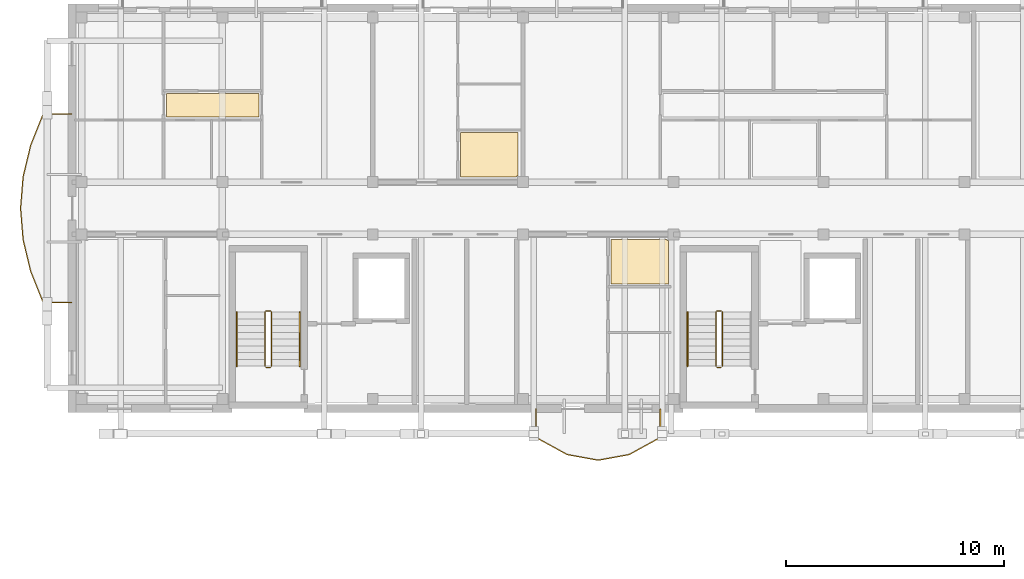
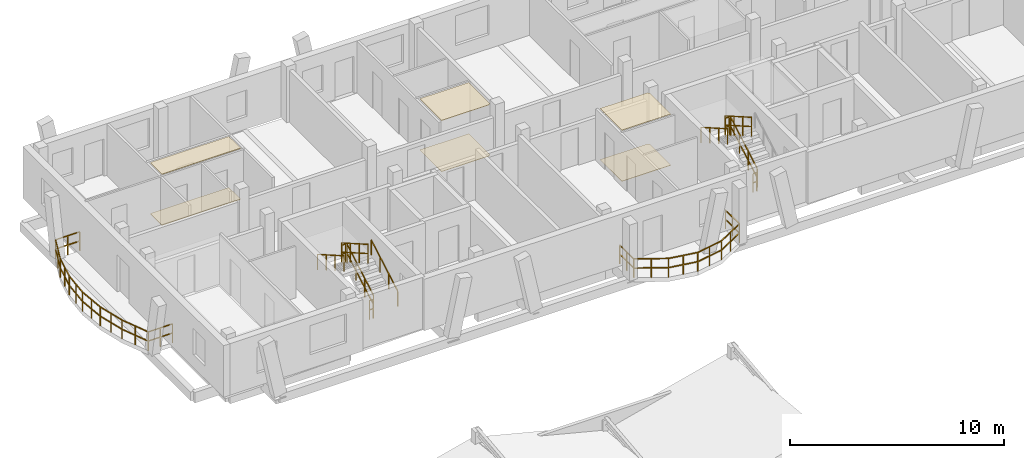
# One storey, part 43 of 50: 13 railings, 6 coverings.
"""IFC4 building model written with IfcOpenShell, lengths in metres."""

from ifc_helpers import new_model, si_unit, direction, frame, origin, origin_2d, place, context, subcontext, project, spatial, polyline, rectangle, outline, extrude, material, layer, layer_set, type_object, element, save


model = new_model("IFC4")

# Units and contexts
model_context = context("Model", 3, precision=1e-05, world=origin(), true_north=direction((0.0, 1.0)))
body_context = subcontext(model_context, "Body", "Model", "MODEL_VIEW")
ifc_project = project(units=[si_unit("LENGTHUNIT", "METRE"), si_unit("AREAUNIT", "SQUARE_METRE"), si_unit("VOLUMEUNIT", "CUBIC_METRE"), si_unit("PLANEANGLEUNIT", "RADIAN"), si_unit("MASSUNIT", "GRAM", prefix="KILO")], contexts=[model_context])

# Site, building, storey
site_placement = place(None, origin())
site = spatial("IfcSite", under=ifc_project, at=site_placement, CompositionType="ELEMENT")
building_placement = place(site_placement, origin())
building = spatial("IfcBuilding", under=site, at=building_placement, Name="Zavelmont Quarter", CompositionType="ELEMENT")
storey_placement = place(building_placement, frame((0.0, 0.0, 11.199951171875)))
storey = spatial("IfcBuildingStorey", under=building, at=storey_placement, Name="L03", CompositionType="ELEMENT", Elevation=11.199951171875)

# Coverings
ifc_material_1 = material(Name="Perforated acoustic gypsum board")
ifc_layer_1 = layer(ifc_material_1, 0.02490234375)
ifc_layer_set_1 = layer_set([ifc_layer_1], Name="Perforated acoustic gypsum board")
covering_type_1 = type_object("IfcCoveringType", Name="CV-CL01", PredefinedType="CEILING", material=ifc_layer_set_1)
covering_1_placement = place(storey_placement, frame((0.0, 0.0, 2.9150390625)))
element("IfcCovering", 1, at=covering_1_placement, inside=storey, type_object=covering_type_1, Name="L03 Kitchen acoustic ceiling", PredefinedType="CEILING", context=body_context, shape_type="SweptSolid", body=[
    extrude(outline(polyline([(17.830078125, 110.27001953125), (20.469970703125, 110.27001953125), (20.469970703125, 108.2900390625), (20.409912109375, 108.2900390625), (20.409912109375, 108.22998046875), (17.830078125, 108.22998046875), (17.830078125, 110.27001953125)])), origin(), (0.0, 0.0, 1.0), 0.02490234375),
])
covering_2_placement = place(storey_placement, frame((0.0, 0.0, 2.9150390625)))
element("IfcCovering", 2, at=covering_2_placement, inside=storey, type_object=covering_type_1, Name="L03 Kitchen acoustic ceiling", PredefinedType="CEILING", context=body_context, shape_type="SweptSolid", body=[
    extrude(outline(polyline([(24.72998046875, 105.3701171875), (27.31005859375, 105.3701171875), (27.31005859375, 105.31005859375), (27.3701171875, 105.31005859375), (27.3701171875, 103.330078125), (24.72998046875, 103.330078125), (24.72998046875, 105.3701171875)])), origin(), (0.0, 0.0, 1.0), 0.02490234375),
])
ifc_material_2 = material(Name="Slatted European ash acoustic baffle ceiling")
ifc_layer_2 = layer(ifc_material_2, 0.0400390625)
ifc_layer_set_2 = layer_set([ifc_layer_2], Name="Slatted European ash acoustic baffle ceiling")
covering_type_2 = type_object("IfcCoveringType", Name="CV-CL02", PredefinedType="CEILING", material=ifc_layer_set_2)
covering_3_placement = place(storey_placement, frame((0.0, 0.0, 2.900146484375)))
element("IfcCovering", 3, at=covering_3_placement, inside=storey, type_object=covering_type_2, Name="L03 Apartment Hall acoustic ceiling", PredefinedType="CEILING", context=body_context, shape_type="SweptSolid", body=[
    extrude(outline(polyline([(4.330078125, 112.070068359375), (8.570068359375, 112.070068359375), (8.570068359375, 110.97998046875), (4.330078125, 110.97998046875), (4.330078125, 112.070068359375)])), origin(), (0.0, 0.0, 1.0), 0.039794921875),
])
ifc_material_3 = material(Name="Engineered European oak parquet")
ifc_layer_3 = layer(ifc_material_3, 0.02197265625)
ifc_layer_set_3 = layer_set([ifc_layer_3], Name="Engineered European oak parquet")
covering_type_3 = type_object("IfcCoveringType", Name="CV-FL01", PredefinedType="FLOORING", material=ifc_layer_set_3)
covering_4_placement = place(storey_placement, origin())
element("IfcCovering", 4, at=covering_4_placement, inside=storey, type_object=covering_type_3, Name="L03 Kitchen floor finish", PredefinedType="FLOORING", context=body_context, shape_type="SweptSolid", body=[
    extrude(outline(polyline([(17.830078125, 110.27001953125), (20.469970703125, 110.27001953125), (20.469970703125, 108.2900390625), (20.409912109375, 108.2900390625), (20.409912109375, 108.22998046875), (17.830078125, 108.22998046875), (17.830078125, 110.27001953125)])), origin(), (0.0, 0.0, 1.0), 0.02197265625),
])
covering_5_placement = place(storey_placement, origin())
element("IfcCovering", 5, at=covering_5_placement, inside=storey, type_object=covering_type_3, Name="L03 Kitchen floor finish", PredefinedType="FLOORING", context=body_context, shape_type="SweptSolid", body=[
    extrude(outline(polyline([(24.72998046875, 105.3701171875), (27.31005859375, 105.3701171875), (27.31005859375, 105.31005859375), (27.3701171875, 105.31005859375), (27.3701171875, 103.330078125), (24.72998046875, 103.330078125), (24.72998046875, 105.3701171875)])), origin(), (0.0, 0.0, 1.0), 0.02197265625),
])
ifc_material_4 = material(Name="Honed Belgian bluestone tile", Category="masonry")
ifc_layer_4 = layer(ifc_material_4, 0.030029296875)
ifc_layer_set_4 = layer_set([ifc_layer_4], Name="Honed Belgian bluestone tile")
covering_type_4 = type_object("IfcCoveringType", Name="CV-FL02", PredefinedType="FLOORING", material=ifc_layer_set_4)
covering_6_placement = place(storey_placement, origin())
element("IfcCovering", 6, at=covering_6_placement, inside=storey, type_object=covering_type_4, Name="L03 Apartment Hall floor finish", PredefinedType="FLOORING", context=body_context, shape_type="SweptSolid", body=[
    extrude(outline(polyline([(4.330078125, 112.070068359375), (8.570068359375, 112.070068359375), (8.570068359375, 110.97998046875), (4.330078125, 110.97998046875), (4.330078125, 112.070068359375)])), origin(), (0.0, 0.0, 1.0), 0.030029296875),
])

# Railings
ifc_material_5 = material(Name="Powder-coated steel and tempered double safety glass", Category="steel")
railing_type_1 = type_object("IfcRailingType", Name="RL-BAL1", PredefinedType="BALUSTRADE", material=ifc_material_5)
railing_1_placement = place(storey_placement, frame((-0.02001953125, 111.130615234375, 0.0)))
element("IfcRailing", 7, at=railing_1_placement, inside=storey, type_object=railing_type_1, Name="L03 Block B curved balcony guard RL-BAL1", PredefinedType="BALUSTRADE", context=body_context, shape_type="SweptSolid", body=[
    extrude(rectangle(XDim=0.048095703125, YDim=0.048095703125, at=origin_2d()), frame((0.0, 0.0, 1.076171875), z_axis=(-1.0, 0.0, 0.0), x_axis=(0.0, -1.0, 0.0)), (0.0, 0.0, 1.0), 1.30615234375),
    extrude(rectangle(XDim=0.048095703125, YDim=0.048095703125, at=origin_2d()), frame((0.0, 0.0, 0.550048828125), z_axis=(-1.0, 0.0, 0.0), x_axis=(0.0, -1.0, 0.0)), (0.0, 0.0, 1.0), 1.30615234375),
    extrude(rectangle(XDim=0.048095703125, YDim=0.048095703125, at=origin_2d()), frame((-1.30615234375, 0.0, 1.076171875), z_axis=(-0.372040153608, -0.928216636407, 0.0), x_axis=(0.928216636407, -0.372040153608, 0.0)), (0.0, 0.0, 1.0), 1.55517578125),
    extrude(rectangle(XDim=0.048095703125, YDim=0.048095703125, at=origin_2d()), frame((-1.30615234375, 0.0, 0.550048828125), z_axis=(-0.372040153608, -0.928216636407, 0.0), x_axis=(0.928216636407, -0.372040153608, 0.0)), (0.0, 0.0, 1.0), 1.55517578125),
    extrude(rectangle(XDim=0.048095703125, YDim=0.048095703125, at=origin_2d()), frame((-1.884765625, -1.443603515625, 1.076171875), z_axis=(-0.233976129241, -0.972242341675, 0.0), x_axis=(0.972242341675, -0.233976129241, 0.0)), (0.0, 0.0, 1.0), 1.48486328125),
    extrude(rectangle(XDim=0.048095703125, YDim=0.048095703125, at=origin_2d()), frame((-1.884765625, -1.443603515625, 0.550048828125), z_axis=(-0.233976129241, -0.972242341675, 0.0), x_axis=(0.972242341675, -0.233976129241, 0.0)), (0.0, 0.0, 1.0), 1.48486328125),
    extrude(rectangle(XDim=0.048095703125, YDim=0.048095703125, at=origin_2d()), frame((-2.232177734375, -2.88720703125, 1.076171875), z_axis=(-0.079919456663, -0.996801324461, 0.0), x_axis=(0.996801324461, -0.079919456663, 0.0)), (0.0, 0.0, 1.0), 1.447998046875),
    extrude(rectangle(XDim=0.048095703125, YDim=0.048095703125, at=origin_2d()), frame((-2.232177734375, -2.88720703125, 0.550048828125), z_axis=(-0.079919456663, -0.996801324461, 0.0), x_axis=(0.996801324461, -0.079919456663, 0.0)), (0.0, 0.0, 1.0), 1.447998046875),
    extrude(rectangle(XDim=0.048095703125, YDim=0.048095703125, at=origin_2d()), frame((-2.347900390625, -4.33056640625, 1.076171875), z_axis=(0.079906027079, -0.996802401099, 0.0), x_axis=(0.996802401099, 0.079906027079, 0.0)), (0.0, 0.0, 1.0), 1.4482421875),
    extrude(rectangle(XDim=0.048095703125, YDim=0.048095703125, at=origin_2d()), frame((-2.347900390625, -4.33056640625, 0.550048828125), z_axis=(0.079906027079, -0.996802401099, 0.0), x_axis=(0.996802401099, 0.079906027079, 0.0)), (0.0, 0.0, 1.0), 1.4482421875),
    extrude(rectangle(XDim=0.048095703125, YDim=0.048095703125, at=origin_2d()), frame((-2.232177734375, -5.774169921875, 1.076171875), z_axis=(0.234013538591, -0.972233338122, 0.0), x_axis=(0.972233338122, 0.234013538591, 0.0)), (0.0, 0.0, 1.0), 1.484619140625),
    extrude(rectangle(XDim=0.048095703125, YDim=0.048095703125, at=origin_2d()), frame((-2.232177734375, -5.774169921875, 0.550048828125), z_axis=(0.234013538591, -0.972233338122, 0.0), x_axis=(0.972233338122, 0.234013538591, 0.0)), (0.0, 0.0, 1.0), 1.484619140625),
    extrude(rectangle(XDim=0.048095703125, YDim=0.048095703125, at=origin_2d()), frame((-1.884765625, -7.217529296875, 1.076171875), z_axis=(0.372040153608, -0.928216636407, 0.0), x_axis=(0.928216636407, 0.372040153608, 0.0)), (0.0, 0.0, 1.0), 1.55517578125),
    extrude(rectangle(XDim=0.048095703125, YDim=0.048095703125, at=origin_2d()), frame((-1.884765625, -7.217529296875, 0.550048828125), z_axis=(0.372040153608, -0.928216636407, 0.0), x_axis=(0.928216636407, 0.372040153608, 0.0)), (0.0, 0.0, 1.0), 1.55517578125),
    extrude(rectangle(XDim=0.048095703125, YDim=0.048095703125, at=origin_2d()), frame((-1.30615234375, -8.6611328125, 1.076171875), z_axis=(1.0, 0.0, 0.0), x_axis=(0.0, 1.0, 0.0)), (0.0, 0.0, 1.0), 1.30615234375),
    extrude(rectangle(XDim=0.048095703125, YDim=0.048095703125, at=origin_2d()), frame((-1.30615234375, -8.6611328125, 0.550048828125), z_axis=(1.0, 0.0, 0.0), x_axis=(0.0, 1.0, 0.0)), (0.0, 0.0, 1.0), 1.30615234375),
    extrude(rectangle(XDim=0.0419921875, YDim=0.0419921875, at=origin_2d()), origin(), (0.0, 0.0, 1.0), 1.052001953125),
    extrude(rectangle(XDim=0.0419921875, YDim=0.0419921875, at=origin_2d()), frame((-0.653076171875, 0.0, 0.0)), (0.0, 0.0, 1.0), 1.052001953125),
    extrude(rectangle(XDim=0.0419921875, YDim=0.0419921875, at=origin_2d()), frame((-1.30615234375, 0.0, 0.0)), (0.0, 0.0, 1.0), 1.052001953125),
    extrude(rectangle(XDim=0.0419921875, YDim=0.0419921875, at=origin_2d()), frame((-1.595458984375, -0.7216796875, 0.0)), (0.0, 0.0, 1.0), 1.052001953125),
    extrude(rectangle(XDim=0.0419921875, YDim=0.0419921875, at=origin_2d()), frame((-1.884765625, -1.443603515625, 0.0)), (0.0, 0.0, 1.0), 1.052001953125),
    extrude(rectangle(XDim=0.0419921875, YDim=0.0419921875, at=origin_2d()), frame((-2.05859375, -2.16552734375, 0.0)), (0.0, 0.0, 1.0), 1.052001953125),
    extrude(rectangle(XDim=0.0419921875, YDim=0.0419921875, at=origin_2d()), frame((-2.232177734375, -2.88720703125, 0.0)), (0.0, 0.0, 1.0), 1.052001953125),
    extrude(rectangle(XDim=0.0419921875, YDim=0.0419921875, at=origin_2d()), frame((-2.2900390625, -3.60888671875, 0.0)), (0.0, 0.0, 1.0), 1.052001953125),
    extrude(rectangle(XDim=0.0419921875, YDim=0.0419921875, at=origin_2d()), frame((-2.347900390625, -4.33056640625, 0.0)), (0.0, 0.0, 1.0), 1.052001953125),
    extrude(rectangle(XDim=0.0419921875, YDim=0.0419921875, at=origin_2d()), frame((-2.2900390625, -5.05224609375, 0.0)), (0.0, 0.0, 1.0), 1.052001953125),
    extrude(rectangle(XDim=0.0419921875, YDim=0.0419921875, at=origin_2d()), frame((-2.232177734375, -5.774169921875, 0.0)), (0.0, 0.0, 1.0), 1.052001953125),
    extrude(rectangle(XDim=0.0419921875, YDim=0.0419921875, at=origin_2d()), frame((-2.05859375, -6.495849609375, 0.0)), (0.0, 0.0, 1.0), 1.052001953125),
    extrude(rectangle(XDim=0.0419921875, YDim=0.0419921875, at=origin_2d()), frame((-1.884765625, -7.217529296875, 0.0)), (0.0, 0.0, 1.0), 1.052001953125),
    extrude(rectangle(XDim=0.0419921875, YDim=0.0419921875, at=origin_2d()), frame((-1.595458984375, -7.939453125, 0.0)), (0.0, 0.0, 1.0), 1.052001953125),
    extrude(rectangle(XDim=0.0419921875, YDim=0.0419921875, at=origin_2d()), frame((-1.30615234375, -8.6611328125, 0.0)), (0.0, 0.0, 1.0), 1.052001953125),
    extrude(rectangle(XDim=0.0419921875, YDim=0.0419921875, at=origin_2d()), frame((-0.653076171875, -8.6611328125, 0.0)), (0.0, 0.0, 1.0), 1.052001953125),
    extrude(rectangle(XDim=0.0419921875, YDim=0.0419921875, at=origin_2d()), frame((0.0, -8.6611328125, 0.0)), (0.0, 0.0, 1.0), 1.052001953125),
])
railing_2_placement = place(storey_placement, frame((21.300048828125, 97.580078125, 0.0)))
element("IfcRailing", 8, at=railing_2_placement, inside=storey, type_object=railing_type_1, Name="L03 Block B curved balcony guard RL-BAL1", PredefinedType="BALUSTRADE", context=body_context, shape_type="SweptSolid", body=[
    extrude(rectangle(XDim=0.048095703125, YDim=0.048095703125, at=origin_2d()), frame((0.0, 0.0, 1.076171875), z_axis=(0.0, -1.0, 0.0), x_axis=(1.0, 0.0, 0.0)), (0.0, 0.0, 1.0), 1.30615234375),
    extrude(rectangle(XDim=0.048095703125, YDim=0.048095703125, at=origin_2d()), frame((0.0, 0.0, 0.550048828125), z_axis=(0.0, -1.0, 0.0), x_axis=(1.0, 0.0, 0.0)), (0.0, 0.0, 1.0), 1.30615234375),
    extrude(rectangle(XDim=0.048095703125, YDim=0.048095703125, at=origin_2d()), frame((0.0, -1.30615234375, 1.076171875), z_axis=(0.876808322776, -0.480840061882, 0.0), x_axis=(0.480840061882, 0.876808322776, 0.0)), (0.0, 0.0, 1.0), 1.625244140625),
    extrude(rectangle(XDim=0.048095703125, YDim=0.048095703125, at=origin_2d()), frame((0.0, -1.30615234375, 0.550048828125), z_axis=(0.876808322776, -0.480840061882, 0.0), x_axis=(0.480840061882, 0.876808322776, 0.0)), (0.0, 0.0, 1.0), 1.625244140625),
    extrude(rectangle(XDim=0.048095703125, YDim=0.048095703125, at=origin_2d()), frame((1.425048828125, -2.087646484375, 1.076171875), z_axis=(0.98369413922, -0.179849493925, 0.0), x_axis=(0.179849493925, 0.98369413922, 0.0)), (0.0, 0.0, 1.0), 1.448486328125),
    extrude(rectangle(XDim=0.048095703125, YDim=0.048095703125, at=origin_2d()), frame((1.425048828125, -2.087646484375, 0.550048828125), z_axis=(0.98369413922, -0.179849493925, 0.0), x_axis=(0.179849493925, 0.98369413922, 0.0)), (0.0, 0.0, 1.0), 1.448486328125),
    extrude(rectangle(XDim=0.048095703125, YDim=0.048095703125, at=origin_2d()), frame((2.849853515625, -2.34814453125, 1.076171875), z_axis=(0.983699589957, 0.179819678342, 0.0), x_axis=(-0.179819678342, 0.983699589957, 0.0)), (0.0, 0.0, 1.0), 1.44873046875),
    extrude(rectangle(XDim=0.048095703125, YDim=0.048095703125, at=origin_2d()), frame((2.849853515625, -2.34814453125, 0.550048828125), z_axis=(0.983699589957, 0.179819678342, 0.0), x_axis=(-0.179819678342, 0.983699589957, 0.0)), (0.0, 0.0, 1.0), 1.44873046875),
    extrude(rectangle(XDim=0.048095703125, YDim=0.048095703125, at=origin_2d()), frame((4.27490234375, -2.087646484375, 1.076171875), z_axis=(0.876808322776, 0.480840061882, 0.0), x_axis=(-0.480840061882, 0.876808322776, 0.0)), (0.0, 0.0, 1.0), 1.625244140625),
    extrude(rectangle(XDim=0.048095703125, YDim=0.048095703125, at=origin_2d()), frame((4.27490234375, -2.087646484375, 0.550048828125), z_axis=(0.876808322776, 0.480840061882, 0.0), x_axis=(-0.480840061882, 0.876808322776, 0.0)), (0.0, 0.0, 1.0), 1.625244140625),
    extrude(rectangle(XDim=0.048095703125, YDim=0.048095703125, at=origin_2d()), frame((5.699951171875, -1.30615234375, 1.076171875), z_axis=(0.0, 1.0, 0.0), x_axis=(-1.0, 0.0, 0.0)), (0.0, 0.0, 1.0), 1.30615234375),
    extrude(rectangle(XDim=0.048095703125, YDim=0.048095703125, at=origin_2d()), frame((5.699951171875, -1.30615234375, 0.550048828125), z_axis=(0.0, 1.0, 0.0), x_axis=(-1.0, 0.0, 0.0)), (0.0, 0.0, 1.0), 1.30615234375),
    extrude(rectangle(XDim=0.0419921875, YDim=0.0419921875, at=origin_2d()), origin(), (0.0, 0.0, 1.0), 1.052001953125),
    extrude(rectangle(XDim=0.0419921875, YDim=0.0419921875, at=origin_2d()), frame((0.0, -0.653076171875, 0.0)), (0.0, 0.0, 1.0), 1.052001953125),
    extrude(rectangle(XDim=0.0419921875, YDim=0.0419921875, at=origin_2d()), frame((0.0, -1.30615234375, 0.0)), (0.0, 0.0, 1.0), 1.052001953125),
    extrude(rectangle(XDim=0.0419921875, YDim=0.0419921875, at=origin_2d()), frame((0.71240234375, -1.69677734375, 0.0)), (0.0, 0.0, 1.0), 1.052001953125),
    extrude(rectangle(XDim=0.0419921875, YDim=0.0419921875, at=origin_2d()), frame((1.425048828125, -2.087646484375, 0.0)), (0.0, 0.0, 1.0), 1.052001953125),
    extrude(rectangle(XDim=0.0419921875, YDim=0.0419921875, at=origin_2d()), frame((2.137451171875, -2.2177734375, 0.0)), (0.0, 0.0, 1.0), 1.052001953125),
    extrude(rectangle(XDim=0.0419921875, YDim=0.0419921875, at=origin_2d()), frame((2.849853515625, -2.34814453125, 0.0)), (0.0, 0.0, 1.0), 1.052001953125),
    extrude(rectangle(XDim=0.0419921875, YDim=0.0419921875, at=origin_2d()), frame((3.5625, -2.2177734375, 0.0)), (0.0, 0.0, 1.0), 1.052001953125),
    extrude(rectangle(XDim=0.0419921875, YDim=0.0419921875, at=origin_2d()), frame((4.27490234375, -2.087646484375, 0.0)), (0.0, 0.0, 1.0), 1.052001953125),
    extrude(rectangle(XDim=0.0419921875, YDim=0.0419921875, at=origin_2d()), frame((4.9873046875, -1.69677734375, 0.0)), (0.0, 0.0, 1.0), 1.052001953125),
    extrude(rectangle(XDim=0.0419921875, YDim=0.0419921875, at=origin_2d()), frame((5.699951171875, -1.30615234375, 0.0)), (0.0, 0.0, 1.0), 1.052001953125),
    extrude(rectangle(XDim=0.0419921875, YDim=0.0419921875, at=origin_2d()), frame((5.699951171875, -0.653076171875, 0.0)), (0.0, 0.0, 1.0), 1.052001953125),
    extrude(rectangle(XDim=0.0419921875, YDim=0.0419921875, at=origin_2d()), frame((5.699951171875, 0.0, 0.0)), (0.0, 0.0, 1.0), 1.052001953125),
])
ifc_material_6 = material(Name="Powder-coated steel stair guardrail", Category="steel")
railing_type_2 = type_object("IfcRailingType", Name="RL-GRD1", PredefinedType="GUARDRAIL", material=ifc_material_6)
railing_3_placement = place(storey_placement, frame((9.14990234375, 99.550048828125, 0.177734375)))
element("IfcRailing", 9, at=railing_3_placement, inside=storey, type_object=railing_type_2, Name="L03 ST03 stair guardrail 1", PredefinedType="GUARDRAIL", context=body_context, shape_type="SweptSolid", body=[
    extrude(rectangle(XDim=0.048095703125, YDim=0.048095703125, at=origin_2d()), frame((0.0, 0.0, 1.076171875), z_axis=(0.0, 0.867453774394, 0.497517787913), x_axis=(-1.0, 0.0, 0.0)), (0.0, 0.0, 1.0), 2.85888671875),
    extrude(rectangle(XDim=0.048095703125, YDim=0.048095703125, at=origin_2d()), frame((0.0, 0.0, 0.550048828125), z_axis=(0.0, 0.867453774394, 0.497517787913), x_axis=(-1.0, 0.0, 0.0)), (0.0, 0.0, 1.0), 2.85888671875),
    extrude(rectangle(XDim=0.0419921875, YDim=0.0419921875, at=origin_2d()), origin(), (0.0, 0.0, 1.0), 1.052001953125),
    extrude(rectangle(XDim=0.0419921875, YDim=0.0419921875, at=origin_2d()), frame((0.0, 0.82666015625, 0.47412109375)), (0.0, 0.0, 1.0), 1.052001953125),
    extrude(rectangle(XDim=0.0419921875, YDim=0.0419921875, at=origin_2d()), frame((0.0, 1.6533203125, 0.9482421875)), (0.0, 0.0, 1.0), 1.052001953125),
    extrude(rectangle(XDim=0.0419921875, YDim=0.0419921875, at=origin_2d()), frame((0.0, 2.47998046875, 1.42236328125)), (0.0, 0.0, 1.0), 1.052001953125),
])
railing_4_placement = place(storey_placement, frame((9.10009765625, 102.080078125, 1.60009765625)))
element("IfcRailing", 10, at=railing_4_placement, inside=storey, type_object=railing_type_2, Name="L03 ST03 stair guardrail 2", PredefinedType="GUARDRAIL", context=body_context, shape_type="SweptSolid", body=[
    extrude(rectangle(XDim=0.048095703125, YDim=0.048095703125, at=origin_2d()), frame((0.0, 0.0, 1.076171875), z_axis=(-1.0, 0.0, 0.0), x_axis=(0.0, -1.0, 0.0)), (0.0, 0.0, 1.0), 0.2001953125),
    extrude(rectangle(XDim=0.048095703125, YDim=0.048095703125, at=origin_2d()), frame((0.0, 0.0, 0.550048828125), z_axis=(-1.0, 0.0, 0.0), x_axis=(0.0, -1.0, 0.0)), (0.0, 0.0, 1.0), 0.2001953125),
    extrude(rectangle(XDim=0.0419921875, YDim=0.0419921875, at=origin_2d()), origin(), (0.0, 0.0, 1.0), 1.052001953125),
    extrude(rectangle(XDim=0.0419921875, YDim=0.0419921875, at=origin_2d()), frame((-0.2001953125, 0.0, 0.0)), (0.0, 0.0, 1.0), 1.052001953125),
])
railing_5_placement = place(storey_placement, frame((8.85009765625, 102.030029296875, 1.77783203125)))
element("IfcRailing", 11, at=railing_5_placement, inside=storey, type_object=railing_type_2, Name="L03 ST03 stair guardrail 3", PredefinedType="GUARDRAIL", context=body_context, shape_type="SweptSolid", body=[
    extrude(rectangle(XDim=0.048095703125, YDim=0.048095703125, at=origin_2d()), frame((0.0, 0.0, 1.076171875), z_axis=(0.0, -0.867490628297, 0.497453525283), x_axis=(1.0, 0.0, 0.0)), (0.0, 0.0, 1.0), 2.85888671875),
    extrude(rectangle(XDim=0.048095703125, YDim=0.048095703125, at=origin_2d()), frame((0.0, 0.0, 0.550048828125), z_axis=(0.0, -0.867490628297, 0.497453525283), x_axis=(1.0, 0.0, 0.0)), (0.0, 0.0, 1.0), 2.85888671875),
    extrude(rectangle(XDim=0.0419921875, YDim=0.0419921875, at=origin_2d()), origin(), (0.0, 0.0, 1.0), 1.052001953125),
    extrude(rectangle(XDim=0.0419921875, YDim=0.0419921875, at=origin_2d()), frame((0.0, -0.82666015625, 0.47412109375)), (0.0, 0.0, 1.0), 1.052001953125),
    extrude(rectangle(XDim=0.0419921875, YDim=0.0419921875, at=origin_2d()), frame((0.0, -1.6533203125, 0.947998046875)), (0.0, 0.0, 1.0), 1.052001953125),
    extrude(rectangle(XDim=0.0419921875, YDim=0.0419921875, at=origin_2d()), frame((0.0, -2.47998046875, 1.422119140625)), (0.0, 0.0, 1.0), 1.052001953125),
])
railing_6_placement = place(storey_placement, frame((9.10009765625, 99.5, 0.0)))
element("IfcRailing", 12, at=railing_6_placement, inside=storey, type_object=railing_type_2, Name="L03 ST03 stair guardrail 4", PredefinedType="GUARDRAIL", context=body_context, shape_type="SweptSolid", body=[
    extrude(rectangle(XDim=0.048095703125, YDim=0.048095703125, at=origin_2d()), frame((0.0, 0.0, 1.076171875), z_axis=(-1.0, 0.0, 0.0), x_axis=(0.0, -1.0, 0.0)), (0.0, 0.0, 1.0), 0.2001953125),
    extrude(rectangle(XDim=0.048095703125, YDim=0.048095703125, at=origin_2d()), frame((0.0, 0.0, 0.550048828125), z_axis=(-1.0, 0.0, 0.0), x_axis=(0.0, -1.0, 0.0)), (0.0, 0.0, 1.0), 0.2001953125),
    extrude(rectangle(XDim=0.0419921875, YDim=0.0419921875, at=origin_2d()), origin(), (0.0, 0.0, 1.0), 1.052001953125),
    extrude(rectangle(XDim=0.0419921875, YDim=0.0419921875, at=origin_2d()), frame((-0.2001953125, 0.0, 0.0)), (0.0, 0.0, 1.0), 1.052001953125),
])
railing_7_placement = place(storey_placement, frame((29.85009765625, 99.550048828125, 0.177734375)))
element("IfcRailing", 13, at=railing_7_placement, inside=storey, type_object=railing_type_2, Name="L03 ST04 stair guardrail 1", PredefinedType="GUARDRAIL", context=body_context, shape_type="SweptSolid", body=[
    extrude(rectangle(XDim=0.048095703125, YDim=0.048095703125, at=origin_2d()), frame((0.0, 0.0, 1.076171875), z_axis=(0.0, 0.867453774394, 0.497517787913), x_axis=(-1.0, 0.0, 0.0)), (0.0, 0.0, 1.0), 2.85888671875),
    extrude(rectangle(XDim=0.048095703125, YDim=0.048095703125, at=origin_2d()), frame((0.0, 0.0, 0.550048828125), z_axis=(0.0, 0.867453774394, 0.497517787913), x_axis=(-1.0, 0.0, 0.0)), (0.0, 0.0, 1.0), 2.85888671875),
    extrude(rectangle(XDim=0.0419921875, YDim=0.0419921875, at=origin_2d()), origin(), (0.0, 0.0, 1.0), 1.052001953125),
    extrude(rectangle(XDim=0.0419921875, YDim=0.0419921875, at=origin_2d()), frame((0.0, 0.82666015625, 0.47412109375)), (0.0, 0.0, 1.0), 1.052001953125),
    extrude(rectangle(XDim=0.0419921875, YDim=0.0419921875, at=origin_2d()), frame((0.0, 1.6533203125, 0.9482421875)), (0.0, 0.0, 1.0), 1.052001953125),
    extrude(rectangle(XDim=0.0419921875, YDim=0.0419921875, at=origin_2d()), frame((0.0, 2.47998046875, 1.42236328125)), (0.0, 0.0, 1.0), 1.052001953125),
])
railing_8_placement = place(storey_placement, frame((29.800048828125, 102.080078125, 1.60009765625)))
element("IfcRailing", 14, at=railing_8_placement, inside=storey, type_object=railing_type_2, Name="L03 ST04 stair guardrail 2", PredefinedType="GUARDRAIL", context=body_context, shape_type="SweptSolid", body=[
    extrude(rectangle(XDim=0.048095703125, YDim=0.048095703125, at=origin_2d()), frame((0.0, 0.0, 1.076171875), z_axis=(-1.0, 0.0, 0.0), x_axis=(0.0, -1.0, 0.0)), (0.0, 0.0, 1.0), 0.199951171875),
    extrude(rectangle(XDim=0.048095703125, YDim=0.048095703125, at=origin_2d()), frame((0.0, 0.0, 0.550048828125), z_axis=(-1.0, 0.0, 0.0), x_axis=(0.0, -1.0, 0.0)), (0.0, 0.0, 1.0), 0.199951171875),
    extrude(rectangle(XDim=0.0419921875, YDim=0.0419921875, at=origin_2d()), origin(), (0.0, 0.0, 1.0), 1.052001953125),
    extrude(rectangle(XDim=0.0419921875, YDim=0.0419921875, at=origin_2d()), frame((-0.199951171875, 0.0, 0.0)), (0.0, 0.0, 1.0), 1.052001953125),
])
railing_9_placement = place(storey_placement, frame((29.550048828125, 102.030029296875, 1.77783203125)))
element("IfcRailing", 15, at=railing_9_placement, inside=storey, type_object=railing_type_2, Name="L03 ST04 stair guardrail 3", PredefinedType="GUARDRAIL", context=body_context, shape_type="SweptSolid", body=[
    extrude(rectangle(XDim=0.048095703125, YDim=0.048095703125, at=origin_2d()), frame((0.0, 0.0, 1.076171875), z_axis=(0.0, -0.867490628297, 0.497453525283), x_axis=(1.0, 0.0, 0.0)), (0.0, 0.0, 1.0), 2.85888671875),
    extrude(rectangle(XDim=0.048095703125, YDim=0.048095703125, at=origin_2d()), frame((0.0, 0.0, 0.550048828125), z_axis=(0.0, -0.867490628297, 0.497453525283), x_axis=(1.0, 0.0, 0.0)), (0.0, 0.0, 1.0), 2.85888671875),
    extrude(rectangle(XDim=0.0419921875, YDim=0.0419921875, at=origin_2d()), origin(), (0.0, 0.0, 1.0), 1.052001953125),
    extrude(rectangle(XDim=0.0419921875, YDim=0.0419921875, at=origin_2d()), frame((0.0, -0.82666015625, 0.47412109375)), (0.0, 0.0, 1.0), 1.052001953125),
    extrude(rectangle(XDim=0.0419921875, YDim=0.0419921875, at=origin_2d()), frame((0.0, -1.6533203125, 0.947998046875)), (0.0, 0.0, 1.0), 1.052001953125),
    extrude(rectangle(XDim=0.0419921875, YDim=0.0419921875, at=origin_2d()), frame((0.0, -2.47998046875, 1.422119140625)), (0.0, 0.0, 1.0), 1.052001953125),
])
railing_10_placement = place(storey_placement, frame((29.800048828125, 99.5, 0.0)))
element("IfcRailing", 16, at=railing_10_placement, inside=storey, type_object=railing_type_2, Name="L03 ST04 stair guardrail 4", PredefinedType="GUARDRAIL", context=body_context, shape_type="SweptSolid", body=[
    extrude(rectangle(XDim=0.048095703125, YDim=0.048095703125, at=origin_2d()), frame((0.0, 0.0, 1.076171875), z_axis=(-1.0, 0.0, 0.0), x_axis=(0.0, -1.0, 0.0)), (0.0, 0.0, 1.0), 0.199951171875),
    extrude(rectangle(XDim=0.048095703125, YDim=0.048095703125, at=origin_2d()), frame((0.0, 0.0, 0.550048828125), z_axis=(-1.0, 0.0, 0.0), x_axis=(0.0, -1.0, 0.0)), (0.0, 0.0, 1.0), 0.199951171875),
    extrude(rectangle(XDim=0.0419921875, YDim=0.0419921875, at=origin_2d()), origin(), (0.0, 0.0, 1.0), 1.052001953125),
    extrude(rectangle(XDim=0.0419921875, YDim=0.0419921875, at=origin_2d()), frame((-0.199951171875, 0.0, 0.0)), (0.0, 0.0, 1.0), 1.052001953125),
])
ifc_material_7 = material(Name="Brushed stainless-steel wall handrail", Category="steel")
railing_type_3 = type_object("IfcRailingType", Name="RL-HND1", PredefinedType="HANDRAIL", material=ifc_material_7)
railing_11_placement = place(storey_placement, frame((10.449951171875, 99.550048828125, 0.177734375)))
element("IfcRailing", 17, at=railing_11_placement, inside=storey, type_object=railing_type_3, Name="L03 ST03 stair handrail 1", PredefinedType="HANDRAIL", context=body_context, shape_type="SweptSolid", body=[
    extrude(rectangle(XDim=0.048095703125, YDim=0.048095703125, at=origin_2d()), frame((0.0, 0.0, 0.8759765625), z_axis=(0.0, 0.867453774394, 0.497517787913), x_axis=(-1.0, 0.0, 0.0)), (0.0, 0.0, 1.0), 2.85888671875),
    extrude(rectangle(XDim=0.0419921875, YDim=0.0419921875, at=origin_2d()), origin(), (0.0, 0.0, 1.0), 0.851806640625),
    extrude(rectangle(XDim=0.0419921875, YDim=0.0419921875, at=origin_2d()), frame((0.0, 0.82666015625, 0.47412109375)), (0.0, 0.0, 1.0), 0.851806640625),
    extrude(rectangle(XDim=0.0419921875, YDim=0.0419921875, at=origin_2d()), frame((0.0, 1.6533203125, 0.9482421875)), (0.0, 0.0, 1.0), 0.851806640625),
    extrude(rectangle(XDim=0.0419921875, YDim=0.0419921875, at=origin_2d()), frame((0.0, 2.47998046875, 1.42236328125)), (0.0, 0.0, 1.0), 0.851806640625),
])
for number, where, name in (
    (18, (7.550048828125, 102.030029296875, 1.77783203125), "L03 ST03 stair handrail 2"),
    (19, (28.25, 102.030029296875, 1.77783203125), "L03 ST04 stair handrail 2"),
):
    element("IfcRailing", number, at=place(storey_placement, frame(where)), inside=storey, type_object=railing_type_3, Name=name, PredefinedType="HANDRAIL", context=body_context, shape_type="SweptSolid", body=[
        extrude(rectangle(XDim=0.048095703125, YDim=0.048095703125, at=origin_2d()), frame((0.0, 0.0, 0.8759765625), z_axis=(0.0, -0.867490628297, 0.497453525283), x_axis=(1.0, 0.0, 0.0)), (0.0, 0.0, 1.0), 2.85888671875),
        extrude(rectangle(XDim=0.0419921875, YDim=0.0419921875, at=origin_2d()), origin(), (0.0, 0.0, 1.0), 0.851806640625),
        extrude(rectangle(XDim=0.0419921875, YDim=0.0419921875, at=origin_2d()), frame((0.0, -0.82666015625, 0.47412109375)), (0.0, 0.0, 1.0), 0.851806640625),
        extrude(rectangle(XDim=0.0419921875, YDim=0.0419921875, at=origin_2d()), frame((0.0, -1.6533203125, 0.947998046875)), (0.0, 0.0, 1.0), 0.851806640625),
        extrude(rectangle(XDim=0.0419921875, YDim=0.0419921875, at=origin_2d()), frame((0.0, -2.47998046875, 1.422119140625)), (0.0, 0.0, 1.0), 0.851806640625),
    ])

save(model, "model.ifc")
